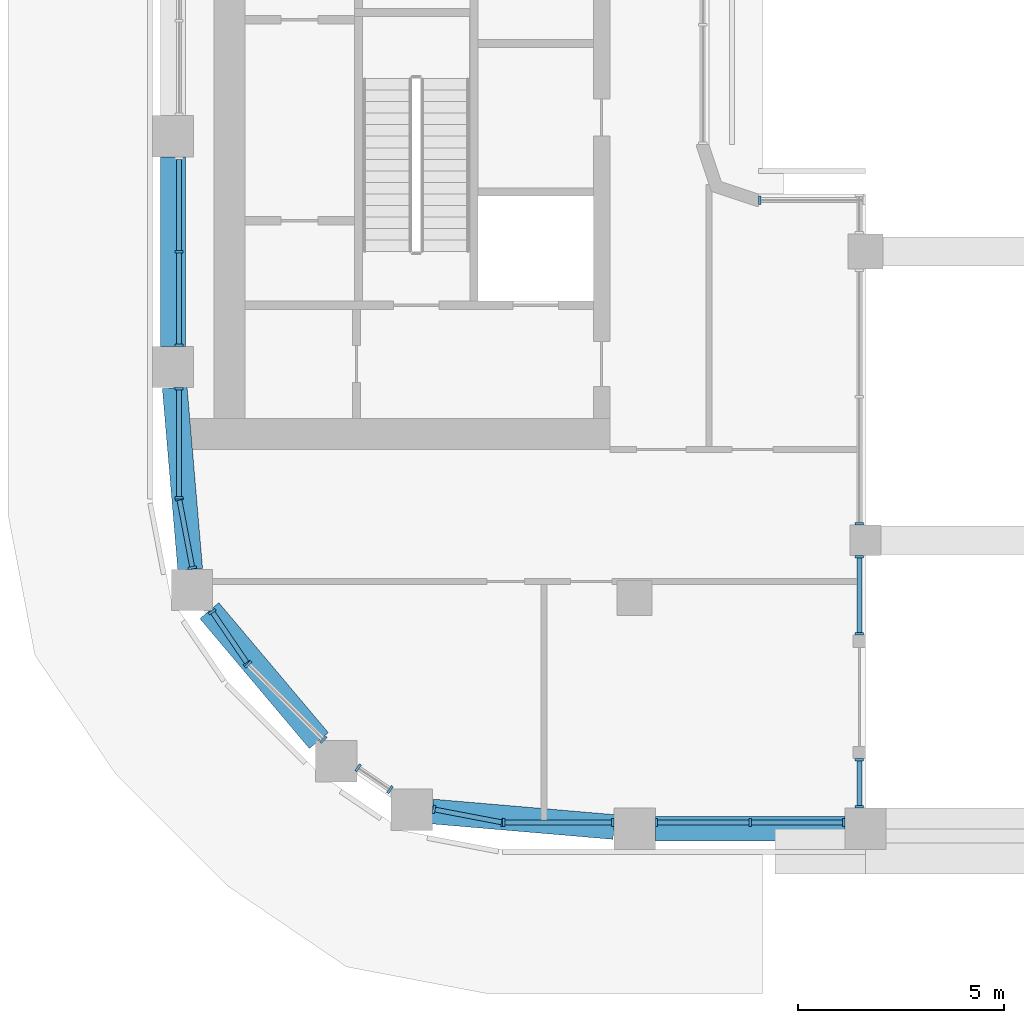
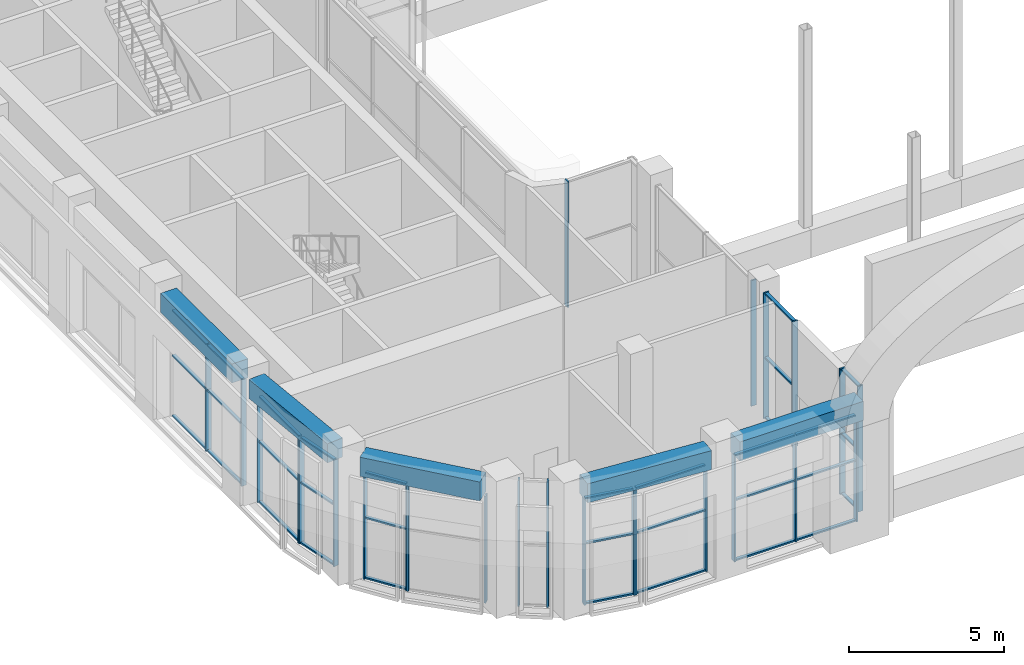
# One storey, part 2 of 28: 58 members, 5 beams, 13 elements without a shape of their own.
"""IFC4 building model written with IfcOpenShell, lengths in metres."""

import ifcopenshell
import ifcopenshell.guid

model = None  # the IFC model being written
_history = None  # IfcOwnerHistory: only IFC2X3 demands one
_inside = {}  # id of a spatial element -> (the spatial element, [elements in it])
_under = {}  # id of a project, library or spatial element -> (it, [spatial elements below it])
_declared = {}  # id of a project -> (the project, [libraries it declares])
_typed = {}  # id of a type object -> (the type object, [elements of that type])
_made_of = {}  # id of a material, layer set ... -> (it, [elements and type objects made of it])


def new_model(schema):
    """Start an empty IFC model of exactly this schema.

    Asked for "IFC4X3", IfcOpenShell would pick the latest addendum, in which some entities
    have other attributes; the version numbers below select the first issue.
    IFC2X3 requires an IfcOwnerHistory on every rooted entity: one is made here for all.
    """
    global model, _history
    if schema == "IFC4X3":
        model = ifcopenshell.file(schema_version=(4, 3, 0, 0))
    else:
        model = ifcopenshell.file(schema=schema)
    _inside.clear()
    _under.clear()
    _declared.clear()
    _typed.clear()
    _made_of.clear()
    _history = None
    if model.schema == "IFC2X3":
        org = make("IfcOrganization", Name="unknown")
        user = make(
            "IfcPersonAndOrganization",
            ThePerson=make("IfcPerson", FamilyName="unknown"),
            TheOrganization=org,
        )
        app = make(
            "IfcApplication",
            ApplicationDeveloper=org,
            Version="unknown",
            ApplicationFullName="unknown",
            ApplicationIdentifier="unknown",
        )
        _history = make(
            "IfcOwnerHistory",
            OwningUser=user,
            OwningApplication=app,
            ChangeAction="ADDED",
            CreationDate=0,
        )
    return model


def make(cls, **values):
    """One entity of the class cls with the attributes given. An attribute that is None is left unset."""
    return model.create_entity(
        cls, **{name: value for name, value in values.items() if value is not None}
    )


def rooted(cls, **values):
    """An entity with a GlobalId (a new one), such as an element, a storey or a relation."""
    return make(cls, GlobalId=ifcopenshell.guid.new(), OwnerHistory=_history, **values)


def si_unit(unit_type, name, prefix=None):
    """IfcSIUnit, for example si_unit("LENGTHUNIT", "METRE", prefix="MILLI")."""
    return make("IfcSIUnit", UnitType=unit_type, Prefix=prefix, Name=name)


def assignment(units):
    """IfcUnitAssignment: the units of a project."""
    return None if units is None else make("IfcUnitAssignment", Units=units)


def point(xyz):
    """IfcCartesianPoint."""
    return None if xyz is None else make("IfcCartesianPoint", Coordinates=xyz)


def direction(xyz):
    """IfcDirection."""
    return None if xyz is None else make("IfcDirection", DirectionRatios=xyz)


def frame(location, z_axis=None, x_axis=None):
    """IfcAxis2Placement3D, a coordinate frame: its origin and axes. An axis left out is left unset."""
    return make(
        "IfcAxis2Placement3D",
        Location=point(location),
        Axis=direction(z_axis),
        RefDirection=direction(x_axis),
    )


def frame_2d(location, x_axis=None):
    """IfcAxis2Placement2D, a coordinate frame in the plane: its origin and x axis."""
    return make(
        "IfcAxis2Placement2D", Location=point(location), RefDirection=direction(x_axis)
    )


def origin():
    """The frame at (0, 0, 0) with its axes left unset."""
    return frame((0.0, 0.0, 0.0))


def origin_2d():
    """The frame at (0, 0) in the plane with its x axis left unset."""
    return frame_2d((0.0, 0.0))


def place(relative_to, where):
    """IfcLocalPlacement: puts the frame where relative to a parent placement (None: the world)."""
    return make(
        "IfcLocalPlacement", PlacementRelTo=relative_to, RelativePlacement=where
    )


def context(
    kind, dimensions, precision=None, world=None, true_north=None, identifier=None
):
    """IfcGeometricRepresentationContext, for example the 3D "Model" context."""
    return make(
        "IfcGeometricRepresentationContext",
        ContextIdentifier=identifier,
        ContextType=kind,
        CoordinateSpaceDimension=dimensions,
        Precision=precision,
        WorldCoordinateSystem=world,
        TrueNorth=true_north,
    )


def subcontext(parent, identifier, kind, view, scale=None):
    """IfcGeometricRepresentationSubContext, for example "Body" below "Model"."""
    return make(
        "IfcGeometricRepresentationSubContext",
        ContextIdentifier=identifier,
        ContextType=kind,
        ParentContext=parent,
        TargetScale=scale,
        TargetView=view,
    )


def project(units=None, contexts=None):
    """IfcProject with its units and contexts."""
    return rooted(
        "IfcProject",
        Name="project",
        RepresentationContexts=contexts,
        UnitsInContext=assignment(units),
    )


def spatial(cls, under=None, at=None, **own):
    """A site, building, storey or space (cls), placed at a placement, below another one or the project."""
    s = rooted(cls, ObjectPlacement=at, **own)
    if under is not None:
        _under.setdefault(under.id(), (under, []))[1].append(s)
    return s


def profile(cls, at=None, kind="AREA", **sizes):
    """A parametric profile (cls). Its sizes go by their IFC names, for example OverallWidth=200.0."""
    return make(cls, ProfileType=kind, Position=at, **sizes)


def rectangle(**sizes):
    """IfcRectangleProfileDef."""
    return profile("IfcRectangleProfileDef", **sizes)


def extrude(swept, where, along, depth):
    """IfcExtrudedAreaSolid: the profile swept, set in the frame where, extruded along a direction by depth."""
    return make(
        "IfcExtrudedAreaSolid",
        SweptArea=swept,
        Position=where,
        ExtrudedDirection=direction(along),
        Depth=depth,
    )


def shape(context_of_items, identifier, shape_type, items):
    """IfcShapeRepresentation: the items that make up one representation, for example the "Body"."""
    return make(
        "IfcShapeRepresentation",
        ContextOfItems=context_of_items,
        RepresentationIdentifier=identifier,
        RepresentationType=shape_type,
        Items=items,
    )


def material(Name=None, Category=None):
    """IfcMaterial."""
    return make("IfcMaterial", Name=Name, Category=Category)


def layer(
    of_material, thickness, ventilated=None, Name=None, Category=None, Priority=None
):
    """IfcMaterialLayer: one layer of a wall or slab, of a material (None: an air gap)."""
    return make(
        "IfcMaterialLayer",
        Material=of_material,
        LayerThickness=thickness,
        IsVentilated=ventilated,
        Name=Name,
        Category=Category,
        Priority=Priority,
    )


def layer_set(layers, Name=None):
    """IfcMaterialLayerSet."""
    return make("IfcMaterialLayerSet", MaterialLayers=layers, LayerSetName=Name)


def material_profile(
    of_material, cross_section, Name=None, Category=None, Priority=None
):
    """IfcMaterialProfile: a cross section and its material."""
    return make(
        "IfcMaterialProfile",
        Name=Name,
        Material=of_material,
        Profile=cross_section,
        Priority=Priority,
        Category=Category,
    )


def profile_set(profiles, Name=None, composite=None):
    """IfcMaterialProfileSet."""
    return make(
        "IfcMaterialProfileSet",
        Name=Name,
        MaterialProfiles=profiles,
        CompositeProfile=composite,
    )


def made_of(thing, what):
    """Note that an element or type object is made of a material, layer set ...; save() writes the relation."""
    if what is not None:
        _made_of.setdefault(what.id(), (what, []))[1].append(thing)
    return thing


def type_object(cls, material=None, **own):
    """A type object (cls), such as IfcWallType, which elements share."""
    return made_of(rooted(cls, **own), material)


def element(
    cls,
    number,
    at=None,
    inside=None,
    cuts=None,
    type_object=None,
    material=None,
    context=None,
    identifier="Body",
    shape_type=None,
    held_by="IfcProductDefinitionShape",
    body=None,
    shapes=None,
    **own,
):
    """One element of the class cls, such as IfcWall. Its Tag is "e" and its number.

    at: its placement. inside: the storey or other place that contains it. cuts: it is an
    opening in that element (IfcRelVoidsElement). A single representation is given by context,
    identifier, shape_type and body (its items); several are given by shapes. held_by: the class
    of the entity that holds the representations. save() writes the other relations.
    """
    e = rooted(cls, Tag="e%d" % number, ObjectPlacement=at, **own)
    if body is not None:
        shapes = [shape(context, identifier, shape_type, body)]
    if shapes is not None:
        e.Representation = make(held_by, Representations=shapes)
    if inside is not None:
        _inside.setdefault(inside.id(), (inside, []))[1].append(e)
    if cuts is not None:
        rooted(
            "IfcRelVoidsElement", RelatingBuildingElement=cuts, RelatedOpeningElement=e
        )
    if type_object is not None:
        _typed.setdefault(type_object.id(), (type_object, []))[1].append(e)
    return made_of(e, material)


def aggregate(whole, parts):
    """IfcRelAggregates: a whole, such as a stair, and the parts it consists of."""
    return rooted("IfcRelAggregates", RelatingObject=whole, RelatedObjects=parts)


def save(model, path):
    """Write the relations noted so far, then the file.

    IfcRelAggregates (storeys below a building ...), IfcRelContainedInSpatialStructure (elements
    in a storey), IfcRelDefinesByType, IfcRelAssociatesMaterial and IfcRelDeclares: one each for
    every whole, place, type object, material and project.
    """
    for whole, parts in _under.values():
        aggregate(whole, parts)
    for where, things in _inside.values():
        rooted(
            "IfcRelContainedInSpatialStructure",
            RelatedElements=things,
            RelatingStructure=where,
        )
    for kind, things in _typed.values():
        rooted("IfcRelDefinesByType", RelatedObjects=things, RelatingType=kind)
    for what, things in _made_of.values():
        rooted("IfcRelAssociatesMaterial", RelatedObjects=things, RelatingMaterial=what)
    for by, libraries in _declared.values():
        rooted("IfcRelDeclares", RelatingContext=by, RelatedDefinitions=libraries)
    model.write(path)


model = new_model("IFC4")

# Units and contexts
model_context = context("Model", 3, precision=1e-05, world=origin(), true_north=direction((0.0, 1.0)))
body_context = subcontext(model_context, "Body", "Model", "MODEL_VIEW")
ifc_project = project(units=[si_unit("LENGTHUNIT", "METRE"), si_unit("AREAUNIT", "SQUARE_METRE"), si_unit("VOLUMEUNIT", "CUBIC_METRE"), si_unit("PLANEANGLEUNIT", "RADIAN"), si_unit("MASSUNIT", "GRAM", prefix="KILO")], contexts=[model_context])

# Site, building, storey
site_placement = place(None, origin())
site = spatial("IfcSite", under=ifc_project, at=site_placement, CompositionType="ELEMENT")
building_placement = place(site_placement, origin())
building = spatial("IfcBuilding", under=site, at=building_placement, Name="Kiln Ring Residences", CompositionType="ELEMENT")
storey_placement = place(building_placement, frame((0.0, 0.0, 178.10009765625)))
storey = spatial("IfcBuildingStorey", under=building, at=storey_placement, Name="L46", CompositionType="ELEMENT", Elevation=178.10009765625)

# Curtain wall, members
ifc_material_1 = material(Name="Aluminium and glass", Category="aluminium")
ifc_layer = layer(ifc_material_1, 0.199951171875)
ifc_layer_set = layer_set([ifc_layer], Name="CW1 CURTAIN WALL")
curtain_wall_type = type_object("IfcCurtainWallType", Name="CW1 CURTAIN WALL", PredefinedType="NOTDEFINED", material=ifc_layer_set)
placement = place(storey_placement, origin())
curtain_wall_1 = element("IfcCurtainWall", 1, at=placement, inside=storey, type_object=curtain_wall_type, Name="Curtain wall CW1 L46", PredefinedType="NOTDEFINED")
ifc_material_2 = material(Name="Aluminium 6063-T6", Category="aluminium")
ifc_material_profile_1 = material_profile(ifc_material_2, rectangle(XDim=0.199951171875, YDim=0.06005859375, at=origin_2d()), Name="AL 200x60")
ifc_profile_set_1 = profile_set([ifc_material_profile_1], Name="Aluminium 6063-T6")
member_type_1 = type_object("IfcMemberType", Name="CW1 MULLION 200 x 60", PredefinedType="MULLION", material=ifc_profile_set_1)
member_1_placement = place(storey_placement, frame((-27.846923828125, -14.4013671875, 0.0), z_axis=(0.0, 0.0, 1.0), x_axis=(0.98229025781, 0.187365550227, 0.0)))
member_1 = element("IfcMember", 2, at=member_1_placement, type_object=member_type_1, Name="CW1 mullion 1", PredefinedType="MULLION", context=body_context, shape_type="SweptSolid", body=[
    extrude(rectangle(XDim=0.199951171875, YDim=0.06005859375, at=origin_2d()), origin(), (0.0, 0.0, 1.0), 4.199951171875),
])
member_2_placement = place(storey_placement, frame((-27.529296875, -16.0673828125, 0.0), z_axis=(0.0, 0.0, 1.0), x_axis=(0.98229025781, 0.187365550227, 0.0)))
member_2 = element("IfcMember", 3, at=member_2_placement, type_object=member_type_1, Name="CW1 mullion 2", PredefinedType="MULLION", context=body_context, shape_type="SweptSolid", body=[
    extrude(rectangle(XDim=0.199951171875, YDim=0.06005859375, at=origin_2d()), origin(), (0.0, 0.0, 1.0), 4.199951171875),
])

curtain_wall_2 = element("IfcCurtainWall", 4, at=placement, inside=storey, type_object=curtain_wall_type, Name="Curtain wall CW1 L46", PredefinedType="NOTDEFINED")
member_3_placement = place(storey_placement, frame((-27.04833984375, -17.133544921875, 0.0), z_axis=(0.0, 0.0, 1.0), x_axis=(0.827071553399, 0.562096651438, 0.0)))
member_3 = element("IfcMember", 5, at=member_3_placement, type_object=member_type_1, Name="CW1 mullion 1", PredefinedType="MULLION", context=body_context, shape_type="SweptSolid", body=[
    extrude(rectangle(XDim=0.199951171875, YDim=0.06005859375, at=origin_2d()), origin(), (0.0, 0.0, 1.0), 4.199951171875),
])
member_4_placement = place(storey_placement, frame((-26.19580078125, -18.387939453125, 0.0), z_axis=(0.0, 0.0, 1.0), x_axis=(0.827071553399, 0.562096651438, 0.0)))
member_4 = element("IfcMember", 6, at=member_4_placement, type_object=member_type_1, Name="CW1 mullion 2", PredefinedType="MULLION", context=body_context, shape_type="SweptSolid", body=[
    extrude(rectangle(XDim=0.199951171875, YDim=0.06005859375, at=origin_2d()), origin(), (0.0, 0.0, 1.0), 4.199951171875),
])

curtain_wall_3 = element("IfcCurtainWall", 7, at=placement, inside=storey, type_object=curtain_wall_type, Name="Curtain wall CW1 L46", PredefinedType="NOTDEFINED")
member_5_placement = place(storey_placement, frame((-26.17578125, -18.412109375, 0.0), z_axis=(0.0, 0.0, 1.0), x_axis=(0.707106781187, 0.707106781187, 0.0)))
member_5 = element("IfcMember", 8, at=member_5_placement, type_object=member_type_1, Name="CW1 mullion 1", PredefinedType="MULLION", context=body_context, shape_type="SweptSolid", body=[
    extrude(rectangle(XDim=0.199951171875, YDim=0.06005859375, at=origin_2d()), origin(), (0.0, 0.0, 1.0), 4.199951171875),
])
member_6_placement = place(storey_placement, frame((-24.349365234375, -20.238525390625, 0.0), z_axis=(0.0, 0.0, 1.0), x_axis=(0.707106781187, 0.707106781187, 0.0)))
member_6 = element("IfcMember", 9, at=member_6_placement, type_object=member_type_1, Name="CW1 mullion 2", PredefinedType="MULLION", context=body_context, shape_type="SweptSolid", body=[
    extrude(rectangle(XDim=0.199951171875, YDim=0.06005859375, at=origin_2d()), origin(), (0.0, 0.0, 1.0), 4.199951171875),
])
aggregate(curtain_wall_3, [member_5, member_6])

curtain_wall_4 = element("IfcCurtainWall", 10, at=placement, inside=storey, type_object=curtain_wall_type, Name="Curtain wall CW1 L46", PredefinedType="NOTDEFINED")
member_7_placement = place(storey_placement, frame((-23.509033203125, -20.921142578125, 0.0), z_axis=(0.0, 0.0, 1.0), x_axis=(0.562096651423, 0.827071553409, 0.0)))
member_7 = element("IfcMember", 11, at=member_7_placement, type_object=member_type_1, Name="CW1 mullion 1", PredefinedType="MULLION", context=body_context, shape_type="SweptSolid", body=[
    extrude(rectangle(XDim=0.199951171875, YDim=0.06005859375, at=origin_2d()), origin(), (0.0, 0.0, 1.0), 4.949951171875),
])
member_8_placement = place(storey_placement, frame((-22.7333984375, -21.4482421875, 0.0), z_axis=(0.0, 0.0, 1.0), x_axis=(0.562096651423, 0.827071553409, 0.0)))
member_8 = element("IfcMember", 12, at=member_8_placement, type_object=member_type_1, Name="CW1 mullion 2", PredefinedType="MULLION", context=body_context, shape_type="SweptSolid", body=[
    extrude(rectangle(XDim=0.199951171875, YDim=0.06005859375, at=origin_2d()), origin(), (0.0, 0.0, 1.0), 4.949951171875),
])
aggregate(curtain_wall_4, [member_7, member_8])

curtain_wall_5 = element("IfcCurtainWall", 13, at=placement, inside=storey, type_object=curtain_wall_type, Name="Curtain wall CW1 L46", PredefinedType="NOTDEFINED")
member_9_placement = place(storey_placement, frame((-21.66748046875, -21.92919921875, 0.0), z_axis=(0.0, 0.0, 1.0), x_axis=(0.187365550227, 0.98229025781, 0.0)))
member_9 = element("IfcMember", 14, at=member_9_placement, type_object=member_type_1, Name="CW1 mullion 1", PredefinedType="MULLION", context=body_context, shape_type="SweptSolid", body=[
    extrude(rectangle(XDim=0.199951171875, YDim=0.06005859375, at=origin_2d()), origin(), (0.0, 0.0, 1.0), 4.199951171875),
])
member_10_placement = place(storey_placement, frame((-20.00146484375, -22.2470703125, 0.0), z_axis=(0.0, 0.0, 1.0), x_axis=(0.187365550227, 0.98229025781, 0.0)))
member_10 = element("IfcMember", 15, at=member_10_placement, type_object=member_type_1, Name="CW1 mullion 2", PredefinedType="MULLION", context=body_context, shape_type="SweptSolid", body=[
    extrude(rectangle(XDim=0.199951171875, YDim=0.06005859375, at=origin_2d()), origin(), (0.0, 0.0, 1.0), 4.199951171875),
])

curtain_wall_6 = element("IfcCurtainWall", 16, at=placement, inside=storey, type_object=curtain_wall_type, Name="Curtain wall CW1 L46", PredefinedType="NOTDEFINED")
member_11_placement = place(storey_placement, frame((-19.969970703125, -22.25, 0.0), z_axis=(0.0, 0.0, 1.0), x_axis=(0.0, 1.0, 0.0)))
member_11 = element("IfcMember", 17, at=member_11_placement, type_object=member_type_1, Name="CW1 mullion 1", PredefinedType="MULLION", context=body_context, shape_type="SweptSolid", body=[
    extrude(rectangle(XDim=0.199951171875, YDim=0.06005859375, at=origin_2d()), origin(), (0.0, 0.0, 1.0), 4.199951171875),
])
member_12_placement = place(storey_placement, frame((-17.330078125, -22.25, 0.0), z_axis=(0.0, 0.0, 1.0), x_axis=(0.0, 1.0, 0.0)))
member_12 = element("IfcMember", 18, at=member_12_placement, type_object=member_type_1, Name="CW1 mullion 2", PredefinedType="MULLION", context=body_context, shape_type="SweptSolid", body=[
    extrude(rectangle(XDim=0.199951171875, YDim=0.06005859375, at=origin_2d()), origin(), (0.0, 0.0, 1.0), 4.199951171875),
])

curtain_wall_7 = element("IfcCurtainWall", 19, at=placement, inside=storey, type_object=curtain_wall_type, Name="Curtain wall CW1 L46", PredefinedType="NOTDEFINED")
member_13_placement = place(storey_placement, frame((-16.27001953125, -22.25, 0.0), z_axis=(0.0, 0.0, 1.0), x_axis=(0.0, 1.0, 0.0)))
member_13 = element("IfcMember", 20, at=member_13_placement, type_object=member_type_1, Name="CW1 mullion 1", PredefinedType="MULLION", context=body_context, shape_type="SweptSolid", body=[
    extrude(rectangle(XDim=0.199951171875, YDim=0.06005859375, at=origin_2d()), origin(), (0.0, 0.0, 1.0), 4.199951171875),
])
member_14_placement = place(storey_placement, frame((-14.0, -22.25, 0.0), z_axis=(0.0, 0.0, 1.0), x_axis=(0.0, 1.0, 0.0)))
member_14 = element("IfcMember", 21, at=member_14_placement, type_object=member_type_1, Name="CW1 mullion 2", PredefinedType="MULLION", context=body_context, shape_type="SweptSolid", body=[
    extrude(rectangle(XDim=0.199951171875, YDim=0.06005859375, at=origin_2d()), origin(), (0.0, 0.0, 1.0), 4.199951171875),
])
member_15_placement = place(storey_placement, frame((-11.72998046875, -22.25, 0.0), z_axis=(0.0, 0.0, 1.0), x_axis=(0.0, 1.0, 0.0)))
member_15 = element("IfcMember", 22, at=member_15_placement, type_object=member_type_1, Name="CW1 mullion 3", PredefinedType="MULLION", context=body_context, shape_type="SweptSolid", body=[
    extrude(rectangle(XDim=0.199951171875, YDim=0.06005859375, at=origin_2d()), origin(), (0.0, 0.0, 1.0), 4.199951171875),
])

curtain_wall_8 = element("IfcCurtainWall", 23, at=placement, inside=storey, type_object=curtain_wall_type, Name="Curtain wall CW1 L46", PredefinedType="NOTDEFINED")
member_16_placement = place(storey_placement, frame((-11.35009765625, -21.8701171875, 0.0), z_axis=(0.0, 0.0, 1.0), x_axis=(-1.0, 0.0, 0.0)))
member_16 = element("IfcMember", 24, at=member_16_placement, type_object=member_type_1, Name="CW1 mullion 1", PredefinedType="MULLION", context=body_context, shape_type="SweptSolid", body=[
    extrude(rectangle(XDim=0.199951171875, YDim=0.06005859375, at=origin_2d()), origin(), (0.0, 0.0, 1.0), 4.949951171875),
])
member_17_placement = place(storey_placement, frame((-11.35009765625, -20.72998046875, 0.0), z_axis=(0.0, 0.0, 1.0), x_axis=(-1.0, 0.0, 0.0)))
member_17 = element("IfcMember", 25, at=member_17_placement, type_object=member_type_1, Name="CW1 mullion 2", PredefinedType="MULLION", context=body_context, shape_type="SweptSolid", body=[
    extrude(rectangle(XDim=0.199951171875, YDim=0.06005859375, at=origin_2d()), origin(), (0.0, 0.0, 1.0), 4.949951171875),
])

curtain_wall_9 = element("IfcCurtainWall", 26, at=placement, inside=storey, type_object=curtain_wall_type, Name="Curtain wall CW1 L46", PredefinedType="NOTDEFINED")
member_18_placement = place(storey_placement, frame((-11.35009765625, -17.669921875, 0.0), z_axis=(0.0, 0.0, 1.0), x_axis=(-1.0, 0.0, 0.0)))
member_18 = element("IfcMember", 27, at=member_18_placement, type_object=member_type_1, Name="CW1 mullion 1", PredefinedType="MULLION", context=body_context, shape_type="SweptSolid", body=[
    extrude(rectangle(XDim=0.199951171875, YDim=0.06005859375, at=origin_2d()), origin(), (0.0, 0.0, 1.0), 4.949951171875),
])
member_19_placement = place(storey_placement, frame((-11.35009765625, -15.804931640625, 0.0), z_axis=(0.0, 0.0, 1.0), x_axis=(-1.0, 0.0, 0.0)))
member_19 = element("IfcMember", 28, at=member_19_placement, type_object=member_type_1, Name="CW1 mullion 2", PredefinedType="MULLION", context=body_context, shape_type="SweptSolid", body=[
    extrude(rectangle(XDim=0.199951171875, YDim=0.06005859375, at=origin_2d()), origin(), (0.0, 0.0, 1.0), 4.949951171875),
])

# Curtain wall, member
curtain_wall_10 = element("IfcCurtainWall", 29, at=placement, inside=storey, type_object=curtain_wall_type, Name="Curtain wall CW1 L46", PredefinedType="NOTDEFINED")
member_20_placement = place(storey_placement, frame((-11.35009765625, -14.9951171875, 0.0), z_axis=(0.0, 0.0, 1.0), x_axis=(-1.0, 0.0, 0.0)))
member_20 = element("IfcMember", 30, at=member_20_placement, type_object=member_type_1, Name="CW1 mullion 1", PredefinedType="MULLION", context=body_context, shape_type="SweptSolid", body=[
    extrude(rectangle(XDim=0.199951171875, YDim=0.06005859375, at=origin_2d()), origin(), (0.0, 0.0, 1.0), 4.949951171875),
])
aggregate(curtain_wall_10, [member_20])

curtain_wall_11 = element("IfcCurtainWall", 31, at=placement, inside=storey, type_object=curtain_wall_type, Name="Curtain wall CW1 L46", PredefinedType="NOTDEFINED")
member_21_placement = place(storey_placement, frame((-13.77001953125, -7.14990234375, 0.0), z_axis=(0.0, 0.0, 1.0), x_axis=(0.0, -1.0, 0.0)))
member_21 = element("IfcMember", 32, at=member_21_placement, type_object=member_type_1, Name="CW1 mullion 2", PredefinedType="MULLION", context=body_context, shape_type="SweptSolid", body=[
    extrude(rectangle(XDim=0.199951171875, YDim=0.06005859375, at=origin_2d()), origin(), (0.0, 0.0, 1.0), 4.949951171875),
])
aggregate(curtain_wall_11, [member_21])

# Curtain wall, members
curtain_wall_12 = element("IfcCurtainWall", 33, at=placement, inside=storey, type_object=curtain_wall_type, Name="Curtain wall CW1 L46", PredefinedType="NOTDEFINED")
member_22_placement = place(storey_placement, frame((-27.85009765625, -8.39990234375, 0.0), z_axis=(0.0, 0.0, 1.0), x_axis=(1.0, 0.0, 0.0)))
member_22 = element("IfcMember", 34, at=member_22_placement, type_object=member_type_1, Name="CW1 mullion 2", PredefinedType="MULLION", context=body_context, shape_type="SweptSolid", body=[
    extrude(rectangle(XDim=0.199951171875, YDim=0.06005859375, at=origin_2d()), origin(), (0.0, 0.0, 1.0), 4.199951171875),
])
member_23_placement = place(storey_placement, frame((-27.85009765625, -10.669921875, 0.0), z_axis=(0.0, 0.0, 1.0), x_axis=(1.0, 0.0, 0.0)))
member_23 = element("IfcMember", 35, at=member_23_placement, type_object=member_type_1, Name="CW1 mullion 3", PredefinedType="MULLION", context=body_context, shape_type="SweptSolid", body=[
    extrude(rectangle(XDim=0.199951171875, YDim=0.06005859375, at=origin_2d()), origin(), (0.0, 0.0, 1.0), 4.199951171875),
])

curtain_wall_13 = element("IfcCurtainWall", 36, at=placement, inside=storey, type_object=curtain_wall_type, Name="Curtain wall CW1 L46", PredefinedType="NOTDEFINED")
member_24_placement = place(storey_placement, frame((-27.85009765625, -11.72998046875, 0.0), z_axis=(0.0, 0.0, 1.0), x_axis=(1.0, 0.0, 0.0)))
member_24 = element("IfcMember", 37, at=member_24_placement, type_object=member_type_1, Name="CW1 mullion 1", PredefinedType="MULLION", context=body_context, shape_type="SweptSolid", body=[
    extrude(rectangle(XDim=0.199951171875, YDim=0.06005859375, at=origin_2d()), origin(), (0.0, 0.0, 1.0), 4.199951171875),
])
member_25_placement = place(storey_placement, frame((-27.85009765625, -14.3701171875, 0.0), z_axis=(0.0, 0.0, 1.0), x_axis=(1.0, 0.0, 0.0)))
member_25 = element("IfcMember", 38, at=member_25_placement, type_object=member_type_1, Name="CW1 mullion 2", PredefinedType="MULLION", context=body_context, shape_type="SweptSolid", body=[
    extrude(rectangle(XDim=0.199951171875, YDim=0.06005859375, at=origin_2d()), origin(), (0.0, 0.0, 1.0), 4.199951171875),
])

# Member
ifc_material_3 = material(Name="Aluminium 6063-T6", Category="aluminium")
ifc_material_profile_2 = material_profile(ifc_material_3, rectangle(XDim=0.1201171875, YDim=0.06005859375, at=origin_2d()), Name="AL 120x60")
ifc_profile_set_2 = profile_set([ifc_material_profile_2], Name="Aluminium 6063-T6")
member_type_2 = type_object("IfcMemberType", Name="CW1 TRANSOM 120 x 60", PredefinedType="USERDEFINED", material=ifc_profile_set_2)
member_26_placement = place(storey_placement, frame((-27.84130859375, -14.430908203125, 0.02978515625), z_axis=(0.187269813936, -0.982308514057, 0.0), x_axis=(0.982308514057, 0.187269813936, 0.0)))
member_26 = element("IfcMember", 39, at=member_26_placement, type_object=member_type_2, Name="CW1 transom 1.1", ObjectType="TRANSOM", PredefinedType="USERDEFINED", context=body_context, shape_type="SweptSolid", body=[
    extrude(rectangle(XDim=0.1201171875, YDim=0.06005859375, at=origin_2d()), origin(), (0.0, 0.0, 1.0), 1.63623046875),
])

member_27_placement = place(storey_placement, frame((-27.84130859375, -14.430908203125, 2.39990234375), z_axis=(0.187269813936, -0.982308514057, 0.0), x_axis=(0.982308514057, 0.187269813936, 0.0)))
member_27 = element("IfcMember", 40, at=member_27_placement, type_object=member_type_2, Name="CW1 transom 1.2", ObjectType="TRANSOM", PredefinedType="USERDEFINED", context=body_context, shape_type="SweptSolid", body=[
    extrude(rectangle(XDim=0.1201171875, YDim=0.06005859375, at=origin_2d()), origin(), (0.0, 0.0, 1.0), 1.63623046875),
])

member_28_placement = place(storey_placement, frame((-27.84130859375, -14.430908203125, 4.169921875), z_axis=(0.187269813936, -0.982308514057, 0.0), x_axis=(0.982308514057, 0.187269813936, 0.0)))
member_28 = element("IfcMember", 41, at=member_28_placement, type_object=member_type_2, Name="CW1 transom 1.3", ObjectType="TRANSOM", PredefinedType="USERDEFINED", context=body_context, shape_type="SweptSolid", body=[
    extrude(rectangle(XDim=0.1201171875, YDim=0.06005859375, at=origin_2d()), origin(), (0.0, 0.0, 1.0), 1.63623046875),
])

aggregate(curtain_wall_1, [member_1, member_2, member_26, member_27, member_28])

member_29_placement = place(storey_placement, frame((-27.031494140625, -17.158203125, 0.02978515625), z_axis=(0.562103722673, -0.827066747583, 0.0), x_axis=(0.827066747583, 0.562103722673, 0.0)))
member_29 = element("IfcMember", 42, at=member_29_placement, type_object=member_type_2, Name="CW1 transom 1.1", ObjectType="TRANSOM", PredefinedType="USERDEFINED", context=body_context, shape_type="SweptSolid", body=[
    extrude(rectangle(XDim=0.1201171875, YDim=0.06005859375, at=origin_2d()), origin(), (0.0, 0.0, 1.0), 1.456787109375),
])

member_30_placement = place(storey_placement, frame((-27.031494140625, -17.158203125, 2.39990234375), z_axis=(0.562103722673, -0.827066747583, 0.0), x_axis=(0.827066747583, 0.562103722673, 0.0)))
member_30 = element("IfcMember", 43, at=member_30_placement, type_object=member_type_2, Name="CW1 transom 1.2", ObjectType="TRANSOM", PredefinedType="USERDEFINED", context=body_context, shape_type="SweptSolid", body=[
    extrude(rectangle(XDim=0.1201171875, YDim=0.06005859375, at=origin_2d()), origin(), (0.0, 0.0, 1.0), 1.456787109375),
])

member_31_placement = place(storey_placement, frame((-27.031494140625, -17.158203125, 4.169921875), z_axis=(0.562103722673, -0.827066747583, 0.0), x_axis=(0.827066747583, 0.562103722673, 0.0)))
member_31 = element("IfcMember", 44, at=member_31_placement, type_object=member_type_2, Name="CW1 transom 1.3", ObjectType="TRANSOM", PredefinedType="USERDEFINED", context=body_context, shape_type="SweptSolid", body=[
    extrude(rectangle(XDim=0.1201171875, YDim=0.06005859375, at=origin_2d()), origin(), (0.0, 0.0, 1.0), 1.456787109375),
])

aggregate(curtain_wall_2, [member_3, member_4, member_29, member_30, member_31])

member_32_placement = place(storey_placement, frame((-21.637939453125, -21.934814453125, 0.02978515625), z_axis=(0.982281054437, -0.187413793768, 0.0), x_axis=(0.187413793768, 0.982281054437, 0.0)))
member_32 = element("IfcMember", 45, at=member_32_placement, type_object=member_type_2, Name="CW1 transom 1.1", ObjectType="TRANSOM", PredefinedType="USERDEFINED", context=body_context, shape_type="SweptSolid", body=[
    extrude(rectangle(XDim=0.1201171875, YDim=0.06005859375, at=origin_2d()), origin(), (0.0, 0.0, 1.0), 1.63623046875),
])

member_33_placement = place(storey_placement, frame((-21.637939453125, -21.934814453125, 2.39990234375), z_axis=(0.982281054437, -0.187413793768, 0.0), x_axis=(0.187413793768, 0.982281054437, 0.0)))
member_33 = element("IfcMember", 46, at=member_33_placement, type_object=member_type_2, Name="CW1 transom 1.2", ObjectType="TRANSOM", PredefinedType="USERDEFINED", context=body_context, shape_type="SweptSolid", body=[
    extrude(rectangle(XDim=0.1201171875, YDim=0.06005859375, at=origin_2d()), origin(), (0.0, 0.0, 1.0), 1.63623046875),
])

member_34_placement = place(storey_placement, frame((-21.637939453125, -21.934814453125, 4.169921875), z_axis=(0.982281054437, -0.187413793768, 0.0), x_axis=(0.187413793768, 0.982281054437, 0.0)))
member_34 = element("IfcMember", 47, at=member_34_placement, type_object=member_type_2, Name="CW1 transom 1.3", ObjectType="TRANSOM", PredefinedType="USERDEFINED", context=body_context, shape_type="SweptSolid", body=[
    extrude(rectangle(XDim=0.1201171875, YDim=0.06005859375, at=origin_2d()), origin(), (0.0, 0.0, 1.0), 1.63623046875),
])

aggregate(curtain_wall_5, [member_9, member_10, member_32, member_33, member_34])

member_35_placement = place(storey_placement, frame((-19.93994140625, -22.25, 0.02978515625), z_axis=(1.0, 0.0, 0.0), x_axis=(0.0, 1.0, 0.0)))
member_35 = element("IfcMember", 48, at=member_35_placement, type_object=member_type_2, Name="CW1 transom 1.1", ObjectType="TRANSOM", PredefinedType="USERDEFINED", context=body_context, shape_type="SweptSolid", body=[
    extrude(rectangle(XDim=0.1201171875, YDim=0.06005859375, at=origin_2d()), origin(), (0.0, 0.0, 1.0), 2.579833984375),
])

member_36_placement = place(storey_placement, frame((-19.93994140625, -22.25, 2.39990234375), z_axis=(1.0, 0.0, 0.0), x_axis=(0.0, 1.0, 0.0)))
member_36 = element("IfcMember", 49, at=member_36_placement, type_object=member_type_2, Name="CW1 transom 1.2", ObjectType="TRANSOM", PredefinedType="USERDEFINED", context=body_context, shape_type="SweptSolid", body=[
    extrude(rectangle(XDim=0.1201171875, YDim=0.06005859375, at=origin_2d()), origin(), (0.0, 0.0, 1.0), 2.579833984375),
])

member_37_placement = place(storey_placement, frame((-19.93994140625, -22.25, 4.169921875), z_axis=(1.0, 0.0, 0.0), x_axis=(0.0, 1.0, 0.0)))
member_37 = element("IfcMember", 50, at=member_37_placement, type_object=member_type_2, Name="CW1 transom 1.3", ObjectType="TRANSOM", PredefinedType="USERDEFINED", context=body_context, shape_type="SweptSolid", body=[
    extrude(rectangle(XDim=0.1201171875, YDim=0.06005859375, at=origin_2d()), origin(), (0.0, 0.0, 1.0), 2.579833984375),
])

aggregate(curtain_wall_6, [member_11, member_12, member_35, member_36, member_37])

member_38_placement = place(storey_placement, frame((-16.239990234375, -22.25, 0.02978515625), z_axis=(1.0, 0.0, 0.0), x_axis=(0.0, 1.0, 0.0)))
member_38 = element("IfcMember", 51, at=member_38_placement, type_object=member_type_2, Name="CW1 transom 1.1", ObjectType="TRANSOM", PredefinedType="USERDEFINED", context=body_context, shape_type="SweptSolid", body=[
    extrude(rectangle(XDim=0.1201171875, YDim=0.06005859375, at=origin_2d()), origin(), (0.0, 0.0, 1.0), 2.2099609375),
])

member_39_placement = place(storey_placement, frame((-16.239990234375, -22.25, 2.39990234375), z_axis=(1.0, 0.0, 0.0), x_axis=(0.0, 1.0, 0.0)))
member_39 = element("IfcMember", 52, at=member_39_placement, type_object=member_type_2, Name="CW1 transom 1.2", ObjectType="TRANSOM", PredefinedType="USERDEFINED", context=body_context, shape_type="SweptSolid", body=[
    extrude(rectangle(XDim=0.1201171875, YDim=0.06005859375, at=origin_2d()), origin(), (0.0, 0.0, 1.0), 2.2099609375),
])

member_40_placement = place(storey_placement, frame((-16.239990234375, -22.25, 4.169921875), z_axis=(1.0, 0.0, 0.0), x_axis=(0.0, 1.0, 0.0)))
member_40 = element("IfcMember", 53, at=member_40_placement, type_object=member_type_2, Name="CW1 transom 1.3", ObjectType="TRANSOM", PredefinedType="USERDEFINED", context=body_context, shape_type="SweptSolid", body=[
    extrude(rectangle(XDim=0.1201171875, YDim=0.06005859375, at=origin_2d()), origin(), (0.0, 0.0, 1.0), 2.2099609375),
])

member_41_placement = place(storey_placement, frame((-13.969970703125, -22.25, 0.02978515625), z_axis=(1.0, 0.0, 0.0), x_axis=(0.0, 1.0, 0.0)))
member_41 = element("IfcMember", 54, at=member_41_placement, type_object=member_type_2, Name="CW1 transom 2.1", ObjectType="TRANSOM", PredefinedType="USERDEFINED", context=body_context, shape_type="SweptSolid", body=[
    extrude(rectangle(XDim=0.1201171875, YDim=0.06005859375, at=origin_2d()), origin(), (0.0, 0.0, 1.0), 2.2099609375),
])

member_42_placement = place(storey_placement, frame((-13.969970703125, -22.25, 2.39990234375), z_axis=(1.0, 0.0, 0.0), x_axis=(0.0, 1.0, 0.0)))
member_42 = element("IfcMember", 55, at=member_42_placement, type_object=member_type_2, Name="CW1 transom 2.2", ObjectType="TRANSOM", PredefinedType="USERDEFINED", context=body_context, shape_type="SweptSolid", body=[
    extrude(rectangle(XDim=0.1201171875, YDim=0.06005859375, at=origin_2d()), origin(), (0.0, 0.0, 1.0), 2.2099609375),
])

member_43_placement = place(storey_placement, frame((-13.969970703125, -22.25, 4.169921875), z_axis=(1.0, 0.0, 0.0), x_axis=(0.0, 1.0, 0.0)))
member_43 = element("IfcMember", 56, at=member_43_placement, type_object=member_type_2, Name="CW1 transom 2.3", ObjectType="TRANSOM", PredefinedType="USERDEFINED", context=body_context, shape_type="SweptSolid", body=[
    extrude(rectangle(XDim=0.1201171875, YDim=0.06005859375, at=origin_2d()), origin(), (0.0, 0.0, 1.0), 2.2099609375),
])

aggregate(curtain_wall_7, [member_13, member_14, member_15, member_38, member_39, member_40, member_41, member_42, member_43])

member_44_placement = place(storey_placement, frame((-11.35009765625, -21.840087890625, 0.02978515625), z_axis=(0.0, 1.0, 0.0), x_axis=(-1.0, 0.0, 0.0)))
member_44 = element("IfcMember", 57, at=member_44_placement, type_object=member_type_2, Name="CW1 transom 1.1", ObjectType="TRANSOM", PredefinedType="USERDEFINED", context=body_context, shape_type="SweptSolid", body=[
    extrude(rectangle(XDim=0.1201171875, YDim=0.06005859375, at=origin_2d()), origin(), (0.0, 0.0, 1.0), 1.080078125),
])

member_45_placement = place(storey_placement, frame((-11.35009765625, -21.840087890625, 2.39990234375), z_axis=(0.0, 1.0, 0.0), x_axis=(-1.0, 0.0, 0.0)))
member_45 = element("IfcMember", 58, at=member_45_placement, type_object=member_type_2, Name="CW1 transom 1.2", ObjectType="TRANSOM", PredefinedType="USERDEFINED", context=body_context, shape_type="SweptSolid", body=[
    extrude(rectangle(XDim=0.1201171875, YDim=0.06005859375, at=origin_2d()), origin(), (0.0, 0.0, 1.0), 1.080078125),
])

member_46_placement = place(storey_placement, frame((-11.35009765625, -21.840087890625, 4.919921875), z_axis=(0.0, 1.0, 0.0), x_axis=(-1.0, 0.0, 0.0)))
member_46 = element("IfcMember", 59, at=member_46_placement, type_object=member_type_2, Name="CW1 transom 1.3", ObjectType="TRANSOM", PredefinedType="USERDEFINED", context=body_context, shape_type="SweptSolid", body=[
    extrude(rectangle(XDim=0.1201171875, YDim=0.06005859375, at=origin_2d()), origin(), (0.0, 0.0, 1.0), 1.080078125),
])

aggregate(curtain_wall_8, [member_16, member_17, member_44, member_45, member_46])

member_47_placement = place(storey_placement, frame((-11.35009765625, -17.639892578125, 0.02978515625), z_axis=(0.0, 1.0, 0.0), x_axis=(-1.0, 0.0, 0.0)))
member_47 = element("IfcMember", 60, at=member_47_placement, type_object=member_type_2, Name="CW1 transom 1.1", ObjectType="TRANSOM", PredefinedType="USERDEFINED", context=body_context, shape_type="SweptSolid", body=[
    extrude(rectangle(XDim=0.1201171875, YDim=0.06005859375, at=origin_2d()), origin(), (0.0, 0.0, 1.0), 1.804931640625),
])

member_48_placement = place(storey_placement, frame((-11.35009765625, -17.639892578125, 2.39990234375), z_axis=(0.0, 1.0, 0.0), x_axis=(-1.0, 0.0, 0.0)))
member_48 = element("IfcMember", 61, at=member_48_placement, type_object=member_type_2, Name="CW1 transom 1.2", ObjectType="TRANSOM", PredefinedType="USERDEFINED", context=body_context, shape_type="SweptSolid", body=[
    extrude(rectangle(XDim=0.1201171875, YDim=0.06005859375, at=origin_2d()), origin(), (0.0, 0.0, 1.0), 1.804931640625),
])

member_49_placement = place(storey_placement, frame((-11.35009765625, -17.639892578125, 4.919921875), z_axis=(0.0, 1.0, 0.0), x_axis=(-1.0, 0.0, 0.0)))
member_49 = element("IfcMember", 62, at=member_49_placement, type_object=member_type_2, Name="CW1 transom 1.3", ObjectType="TRANSOM", PredefinedType="USERDEFINED", context=body_context, shape_type="SweptSolid", body=[
    extrude(rectangle(XDim=0.1201171875, YDim=0.06005859375, at=origin_2d()), origin(), (0.0, 0.0, 1.0), 1.804931640625),
])

aggregate(curtain_wall_9, [member_18, member_19, member_47, member_48, member_49])

member_50_placement = place(storey_placement, frame((-27.85009765625, -6.159912109375, 0.02978515625), z_axis=(0.0, -1.0, 0.0), x_axis=(1.0, 0.0, 0.0)))
member_50 = element("IfcMember", 63, at=member_50_placement, type_object=member_type_2, Name="CW1 transom 1.1", ObjectType="TRANSOM", PredefinedType="USERDEFINED", context=body_context, shape_type="SweptSolid", body=[
    extrude(rectangle(XDim=0.1201171875, YDim=0.06005859375, at=origin_2d()), origin(), (0.0, 0.0, 1.0), 2.210205078125),
])

member_51_placement = place(storey_placement, frame((-27.85009765625, -6.159912109375, 2.39990234375), z_axis=(0.0, -1.0, 0.0), x_axis=(1.0, 0.0, 0.0)))
member_51 = element("IfcMember", 64, at=member_51_placement, type_object=member_type_2, Name="CW1 transom 1.2", ObjectType="TRANSOM", PredefinedType="USERDEFINED", context=body_context, shape_type="SweptSolid", body=[
    extrude(rectangle(XDim=0.1201171875, YDim=0.06005859375, at=origin_2d()), origin(), (0.0, 0.0, 1.0), 2.210205078125),
])

member_52_placement = place(storey_placement, frame((-27.85009765625, -6.159912109375, 4.169921875), z_axis=(0.0, -1.0, 0.0), x_axis=(1.0, 0.0, 0.0)))
member_52 = element("IfcMember", 65, at=member_52_placement, type_object=member_type_2, Name="CW1 transom 1.3", ObjectType="TRANSOM", PredefinedType="USERDEFINED", context=body_context, shape_type="SweptSolid", body=[
    extrude(rectangle(XDim=0.1201171875, YDim=0.06005859375, at=origin_2d()), origin(), (0.0, 0.0, 1.0), 2.210205078125),
])

member_53_placement = place(storey_placement, frame((-27.85009765625, -8.429931640625, 0.02978515625), z_axis=(0.0, -1.0, 0.0), x_axis=(1.0, 0.0, 0.0)))
member_53 = element("IfcMember", 66, at=member_53_placement, type_object=member_type_2, Name="CW1 transom 2.1", ObjectType="TRANSOM", PredefinedType="USERDEFINED", context=body_context, shape_type="SweptSolid", body=[
    extrude(rectangle(XDim=0.1201171875, YDim=0.06005859375, at=origin_2d()), origin(), (0.0, 0.0, 1.0), 2.2099609375),
])

member_54_placement = place(storey_placement, frame((-27.85009765625, -8.429931640625, 2.39990234375), z_axis=(0.0, -1.0, 0.0), x_axis=(1.0, 0.0, 0.0)))
member_54 = element("IfcMember", 67, at=member_54_placement, type_object=member_type_2, Name="CW1 transom 2.2", ObjectType="TRANSOM", PredefinedType="USERDEFINED", context=body_context, shape_type="SweptSolid", body=[
    extrude(rectangle(XDim=0.1201171875, YDim=0.06005859375, at=origin_2d()), origin(), (0.0, 0.0, 1.0), 2.2099609375),
])

member_55_placement = place(storey_placement, frame((-27.85009765625, -8.429931640625, 4.169921875), z_axis=(0.0, -1.0, 0.0), x_axis=(1.0, 0.0, 0.0)))
member_55 = element("IfcMember", 68, at=member_55_placement, type_object=member_type_2, Name="CW1 transom 2.3", ObjectType="TRANSOM", PredefinedType="USERDEFINED", context=body_context, shape_type="SweptSolid", body=[
    extrude(rectangle(XDim=0.1201171875, YDim=0.06005859375, at=origin_2d()), origin(), (0.0, 0.0, 1.0), 2.2099609375),
])

aggregate(curtain_wall_12, [member_22, member_23, member_50, member_51, member_52, member_53, member_54, member_55])

member_56_placement = place(storey_placement, frame((-27.85009765625, -11.760009765625, 0.02978515625), z_axis=(0.0, -1.0, 0.0), x_axis=(1.0, 0.0, 0.0)))
member_56 = element("IfcMember", 69, at=member_56_placement, type_object=member_type_2, Name="CW1 transom 1.1", ObjectType="TRANSOM", PredefinedType="USERDEFINED", context=body_context, shape_type="SweptSolid", body=[
    extrude(rectangle(XDim=0.1201171875, YDim=0.06005859375, at=origin_2d()), origin(), (0.0, 0.0, 1.0), 2.580078125),
])

member_57_placement = place(storey_placement, frame((-27.85009765625, -11.760009765625, 2.39990234375), z_axis=(0.0, -1.0, 0.0), x_axis=(1.0, 0.0, 0.0)))
member_57 = element("IfcMember", 70, at=member_57_placement, type_object=member_type_2, Name="CW1 transom 1.2", ObjectType="TRANSOM", PredefinedType="USERDEFINED", context=body_context, shape_type="SweptSolid", body=[
    extrude(rectangle(XDim=0.1201171875, YDim=0.06005859375, at=origin_2d()), origin(), (0.0, 0.0, 1.0), 2.580078125),
])

member_58_placement = place(storey_placement, frame((-27.85009765625, -11.760009765625, 4.169921875), z_axis=(0.0, -1.0, 0.0), x_axis=(1.0, 0.0, 0.0)))
member_58 = element("IfcMember", 71, at=member_58_placement, type_object=member_type_2, Name="CW1 transom 1.3", ObjectType="TRANSOM", PredefinedType="USERDEFINED", context=body_context, shape_type="SweptSolid", body=[
    extrude(rectangle(XDim=0.1201171875, YDim=0.06005859375, at=origin_2d()), origin(), (0.0, 0.0, 1.0), 2.580078125),
])

aggregate(curtain_wall_13, [member_24, member_25, member_56, member_57, member_58])

# Beams
ifc_material_4 = material(Name="Concrete C50/60", Category="concrete")
ifc_material_profile_3 = material_profile(ifc_material_4, rectangle(XDim=0.60009765625, YDim=0.75, at=origin_2d()), Name="RC600x750")
ifc_profile_set_3 = profile_set([ifc_material_profile_3], Name="Concrete C50/60")
beam_type = type_object("IfcBeamType", Name="Spandrel beam RC600x750 C50/60", PredefinedType="SPANDREL", material=ifc_profile_set_3)
beam_1_placement = place(storey_placement, frame((-21.708740234375, -21.980712890625, 4.574951171875), z_axis=(0.996369283519, -0.0851366599, 0.0), x_axis=(0.0851366599, 0.996369283519, 0.0)))
element("IfcBeam", 72, at=beam_1_placement, inside=storey, type_object=beam_type, Name="Spandrel beam L46 1", PredefinedType="SPANDREL", context=body_context, shape_type="SweptSolid", body=[
    extrude(rectangle(XDim=0.60009765625, YDim=0.75, at=origin_2d()), origin(), (0.0, 0.0, 1.0), 4.4248046875),
])
beam_2_placement = place(storey_placement, frame((-16.300048828125, -22.39990234375, 4.574951171875), z_axis=(1.0, 0.0, 0.0), x_axis=(0.0, 1.0, 0.0)))
element("IfcBeam", 73, at=beam_2_placement, inside=storey, type_object=beam_type, Name="Spandrel beam L46 2", PredefinedType="SPANDREL", context=body_context, shape_type="SweptSolid", body=[
    extrude(rectangle(XDim=0.60009765625, YDim=0.75, at=origin_2d()), origin(), (0.0, 0.0, 1.0), 4.60009765625),
])
beam_3_placement = place(storey_placement, frame((-28.0, -6.10009765625, 4.574951171875), z_axis=(0.0, -1.0, 0.0), x_axis=(1.0, 0.0, 0.0)))
element("IfcBeam", 74, at=beam_3_placement, inside=storey, type_object=beam_type, Name="Spandrel beam L46 22", PredefinedType="SPANDREL", context=body_context, shape_type="SweptSolid", body=[
    extrude(rectangle(XDim=0.60009765625, YDim=0.75, at=origin_2d()), origin(), (0.0, 0.0, 1.0), 4.599853515625),
])
beam_4_placement = place(storey_placement, frame((-27.957275390625, -11.699951171875, 4.574951171875), z_axis=(0.085081883384, -0.996373962486, 0.0), x_axis=(0.996373962486, 0.085081883384, 0.0)))
element("IfcBeam", 75, at=beam_4_placement, inside=storey, type_object=beam_type, Name="Spandrel beam L46 23", PredefinedType="SPANDREL", context=body_context, shape_type="SweptSolid", body=[
    extrude(rectangle(XDim=0.60009765625, YDim=0.75, at=origin_2d()), origin(), (0.0, 0.0, 1.0), 4.4248046875),
])
beam_5_placement = place(storey_placement, frame((-27.11669921875, -17.108642578125, 4.574951171875), z_axis=(0.644376545136, -0.764708354916, 0.0), x_axis=(0.764708354916, 0.644376545136, 0.0)))
element("IfcBeam", 76, at=beam_5_placement, inside=storey, type_object=beam_type, Name="Spandrel beam L46 24", PredefinedType="SPANDREL", context=body_context, shape_type="SweptSolid", body=[
    extrude(rectangle(XDim=0.60009765625, YDim=0.75, at=origin_2d()), origin(), (0.0, 0.0, 1.0), 4.12060546875),
])

save(model, "model.ifc")
